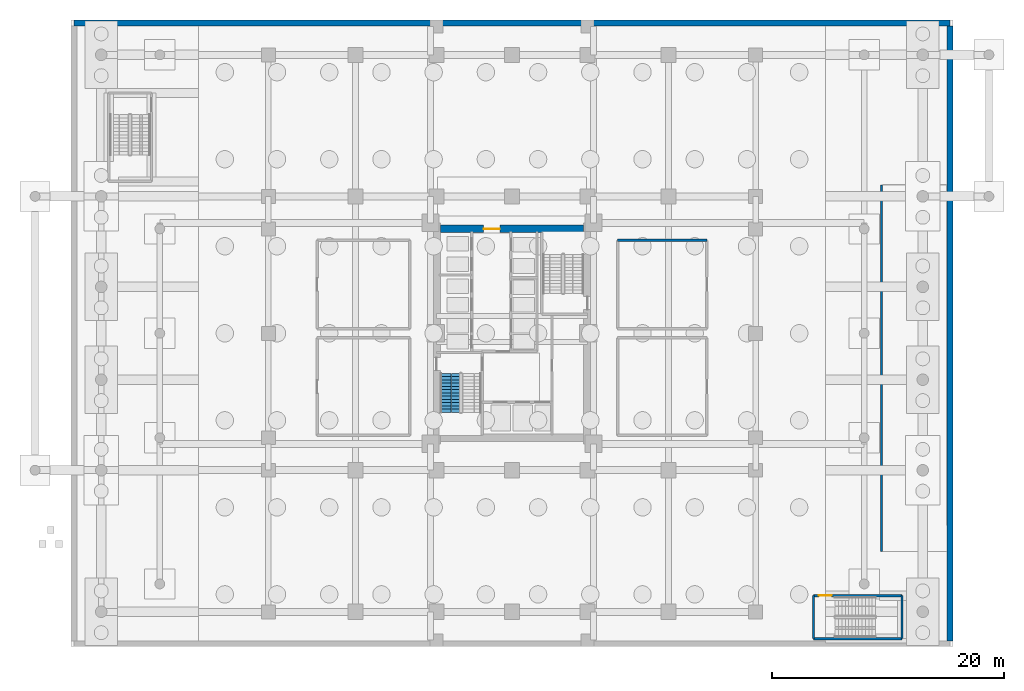
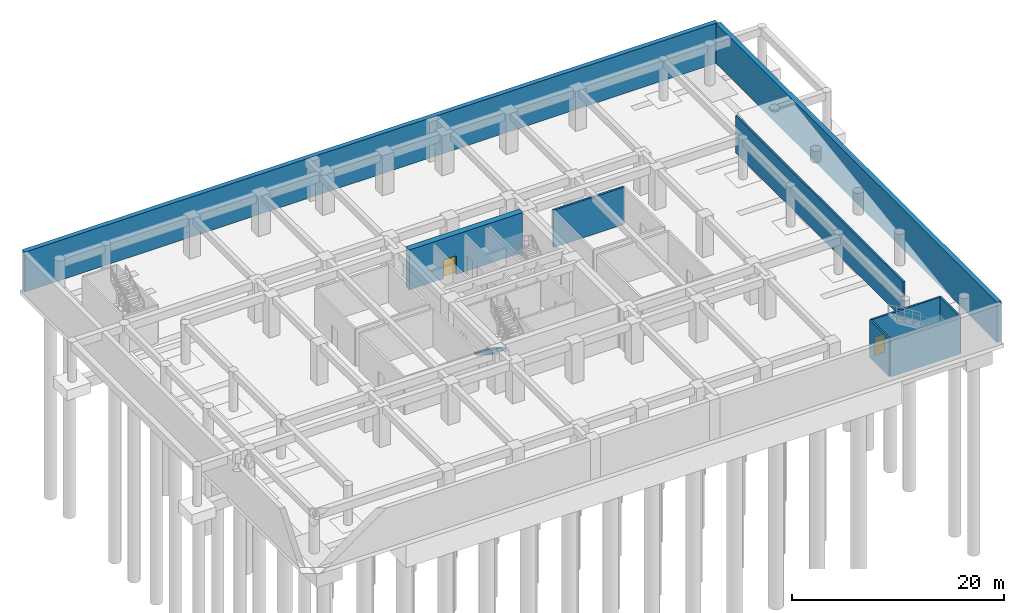
# One storey, part 5 of 14: 9 walls, 2 doors, 1 stair flight, 2 openings, 1 element without a shape of its own.
"""IFC4 building model written with IfcOpenShell, lengths in metres."""

from ifc_helpers import new_model, si_unit, direction, frame, frame_2d, origin, place, context, subcontext, project, spatial, polyline, rectangle, outline, extrude, source, transform, mapped, material, layer, layer_set, type_object, element, fill, aggregate, save


model = new_model("IFC4")

# Units and contexts
model_context = context("Model", 3, precision=1e-05, world=origin(), true_north=direction((0.0, 1.0)))
body_context = subcontext(model_context, "Body", "Model", "MODEL_VIEW")
ifc_project = project(units=[si_unit("LENGTHUNIT", "METRE"), si_unit("AREAUNIT", "SQUARE_METRE"), si_unit("VOLUMEUNIT", "CUBIC_METRE"), si_unit("PLANEANGLEUNIT", "RADIAN"), si_unit("MASSUNIT", "GRAM", prefix="KILO")], contexts=[model_context])

# Site, building, storey
site_placement = place(None, origin())
site = spatial("IfcSite", under=ifc_project, at=site_placement, CompositionType="ELEMENT")
building_placement = place(site_placement, origin())
building = spatial("IfcBuilding", under=site, at=building_placement, Name="Saelheon Loggia Tower", CompositionType="ELEMENT")
storey_placement = place(building_placement, frame((0.0, 0.0, -9.199951171875)))
storey = spatial("IfcBuildingStorey", under=building, at=storey_placement, Name="B2", CompositionType="ELEMENT", Elevation=-9.199951171875)

# Wall, opening, door
ifc_material_1 = material(Name="Concrete C60/75", Category="concrete")
ifc_layer_1 = layer(ifc_material_1, 0.64990234375)
ifc_layer_set_1 = layer_set([ifc_layer_1], Name="Concrete C60/75")
wall_type_1 = type_object("IfcWallType", Name="Wall_CoreShear_650", PredefinedType="SHEAR", material=ifc_layer_set_1)
wall_1_placement = place(storey_placement, frame((31.824951171875, 36.0, 0.0), z_axis=(0.0, 0.0, 1.0), x_axis=(1.0, 0.0, 0.0)))
wall_1 = element("IfcWall", 1, at=wall_1_placement, inside=storey, type_object=wall_type_1, Name="B2 Core Shear Wall North", PredefinedType="SHEAR", context=body_context, shape_type="SweptSolid", body=[
    extrude(rectangle(XDim=12.35009765625, YDim=0.64990234375, at=frame_2d((6.175048828125, 0.0))), origin(), (0.0, 0.0, 1.0), 4.599853515625),
])
opening_1_placement = place(wall_1_placement, frame((5.125, 0.0, 0.0), z_axis=(0.0, 0.0, 1.0), x_axis=(-1.0, 0.0, 0.0)))
opening_1 = element("IfcOpeningElement", 2, at=opening_1_placement, cuts=wall_1, Name="Opening D-FD2L", PredefinedType="OPENING", context=body_context, shape_type="SweptSolid", body=[
    extrude(rectangle(XDim=1.39990234375, YDim=2.14990234375, at=frame_2d((0.699951171875, 1.074951171875))), frame((0.0, 0.3369140625, 0.0), z_axis=(0.0, -1.0, 0.0), x_axis=(1.0, 0.0, 0.0)), (0.0, 0.0, 1.0), 0.673828125),
])
ifc_material_2 = material(Name="Galvanised Steel Glazed Lobby Fire Door", Category="steel")
door_type_1 = type_object("IfcDoorType", Name="Door_Fire_FD60_1400", OperationType="NOTDEFINED", PredefinedType="DOOR", material=ifc_material_2)
shared_shape_1 = source(origin(), body_context, "Body", "SweptSolid", [
    extrude(rectangle(XDim=1.39990234375, YDim=2.14990234375, at=frame_2d((0.699951171875, 1.074951171875))), frame((0.0, 0.02490234375, 0.0), z_axis=(0.0, -1.0, 0.0), x_axis=(1.0, 0.0, 0.0)), (0.0, 0.0, 1.0), 0.050048828125),
])
door_1_placement = place(opening_1_placement, origin())
door_1 = element("IfcDoor", 3, at=door_1_placement, inside=storey, type_object=door_type_1, Name="B2 Passenger Lift Lobby Main Door", OperationType="SINGLE_SWING_RIGHT", OverallHeight=2.14990234375, OverallWidth=1.39990234375, PredefinedType="DOOR", context=body_context, shape_type="MappedRepresentation", body=[
    mapped(shared_shape_1, transform((0.0, 0.0, 0.0), scale=1.0)),
])
fill(opening_1, door_1)

# Walls
ifc_material_3 = material(Name="Concrete C40/50", Category="concrete")
ifc_layer_2 = layer(ifc_material_3, 0.219970703125)
ifc_layer_set_2 = layer_set([ifc_layer_2], Name="Concrete C40/50")
wall_type_2 = type_object("IfcWallType", Name="Wall_PlantBlock_220", PredefinedType="PARTITIONING", material=ifc_layer_set_2)
wall_2_placement = place(storey_placement, frame((47.10009765625, 35.0, 0.0), z_axis=(0.0, 0.0, 1.0), x_axis=(1.0, 0.0, 0.0)))
element("IfcWall", 4, at=wall_2_placement, inside=storey, type_object=wall_type_2, Name="B2 Basement Smoke Extraction Fan Room North Wall", PredefinedType="PARTITIONING", context=body_context, shape_type="SweptSolid", body=[
    extrude(rectangle(XDim=7.699951171875, YDim=0.219970703125, at=frame_2d((3.85009765625, 0.0))), origin(), (0.0, 0.0, 1.0), 4.300048828125),
])
ifc_layer_3 = layer(ifc_material_3, 0.5)
ifc_layer_set_3 = layer_set([ifc_layer_3], Name="Concrete C40/50")
wall_type_3 = type_object("IfcWallType", Name="Wall_Retaining_500", PredefinedType="USERDEFINED", material=ifc_layer_set_3)
wall_3_placement = place(storey_placement, frame((75.75, 0.5, 0.0), z_axis=(0.0, 0.0, 1.0), x_axis=(0.0, 1.0, 0.0)))
element("IfcWall", 5, at=wall_3_placement, inside=storey, type_object=wall_type_3, Name="B2 Basement Retaining Wall E", ObjectType="RETAININGWALL", PredefinedType="USERDEFINED", context=body_context, shape_type="SweptSolid", body=[
    extrude(rectangle(XDim=53.0, YDim=0.5, at=frame_2d((26.5, 0.0))), origin(), (0.0, 0.0, 1.0), 4.599853515625),
])
wall_4_placement = place(storey_placement, frame((75.75, 53.75, 0.0), z_axis=(0.0, 0.0, 1.0), x_axis=(-1.0, 0.0, 0.0)))
element("IfcWall", 6, at=wall_4_placement, inside=storey, type_object=wall_type_3, Name="B2 Basement Retaining Wall N", ObjectType="RETAININGWALL", PredefinedType="USERDEFINED", context=body_context, shape_type="SweptSolid", body=[
    extrude(rectangle(XDim=75.5, YDim=0.5, at=frame_2d((37.75, 0.0))), origin(), (0.0, 0.0, 1.0), 4.599853515625),
])
ifc_layer_4 = layer(ifc_material_3, 0.199951171875)
ifc_layer_set_4 = layer_set([ifc_layer_4], Name="Concrete C40/50")
wall_type_4 = type_object("IfcWallType", Name="Wall_Shaft_200", PredefinedType="PARTITIONING", material=ifc_layer_set_4)
wall_5_placement = place(storey_placement, frame((69.85009765625, 8.199951171875, 0.0), z_axis=(0.0, 0.0, 1.0), x_axis=(0.0, 1.0, 0.0)))
element("IfcWall", 7, at=wall_5_placement, inside=storey, type_object=wall_type_4, Name="B2 Vehicle Ramp Shaft West Wall", PredefinedType="PARTITIONING", context=body_context, shape_type="SweptSolid", body=[
    extrude(rectangle(XDim=31.60009765625, YDim=0.199951171875, at=frame_2d((15.800048828125, 0.0))), origin(), (0.0, 0.0, 1.0), 4.300048828125),
])
ifc_material_4 = material(Name="Concrete C45/55", Category="concrete")
ifc_layer_5 = layer(ifc_material_4, 0.199951171875)
ifc_layer_set_5 = layer_set([ifc_layer_5], Name="Concrete C45/55")
wall_type_5 = type_object("IfcWallType", Name="Wall_StairShaft_RC200", PredefinedType="SOLIDWALL", material=ifc_layer_set_5)
wall_6_placement = place(storey_placement, frame((63.989990234375, 0.68994140625, 0.0), z_axis=(0.0, 0.0, 1.0), x_axis=(1.0, 0.0, 0.0)))
element("IfcWall", 8, at=wall_6_placement, inside=storey, type_object=wall_type_5, Name="B2 ST4 Shaft South Wall", PredefinedType="SOLIDWALL", context=body_context, shape_type="SweptSolid", body=[
    extrude(rectangle(XDim=7.6201171875, YDim=0.199951171875, at=frame_2d((3.81005859375, 0.0))), origin(), (0.0, 0.0, 1.0), 4.300048828125),
])

# Wall, opening, door
wall_7_placement = place(storey_placement, frame((63.989990234375, 4.389892578125, 0.0), z_axis=(0.0, 0.0, 1.0), x_axis=(1.0, 0.0, 0.0)))
wall_7 = element("IfcWall", 9, at=wall_7_placement, inside=storey, type_object=wall_type_5, Name="B2 ST4 Shaft North Wall", PredefinedType="SOLIDWALL", context=body_context, shape_type="SweptSolid", body=[
    extrude(rectangle(XDim=7.6201171875, YDim=0.199951171875, at=frame_2d((3.81005859375, 0.0))), origin(), (0.0, 0.0, 1.0), 4.300048828125),
])
opening_2_placement = place(wall_7_placement, frame((0.449951171875, 0.0, 0.0)))
opening_2 = element("IfcOpeningElement", 10, at=opening_2_placement, cuts=wall_7, Name="Opening D-FD2", PredefinedType="OPENING", context=body_context, shape_type="SweptSolid", body=[
    extrude(rectangle(XDim=1.10009765625, YDim=2.14990234375, at=frame_2d((0.550048828125, 1.074951171875))), frame((0.0, 0.112060546875, 0.0), z_axis=(0.0, -1.0, 0.0), x_axis=(1.0, 0.0, 0.0)), (0.0, 0.0, 1.0), 0.223876953125),
])
ifc_material_5 = material(Name="Galvanised Steel Fire Door", Category="steel")
door_type_2 = type_object("IfcDoorType", Name="Door_Fire_FD60_1100", OperationType="NOTDEFINED", PredefinedType="DOOR", material=ifc_material_5)
shared_shape_2 = source(origin(), body_context, "Body", "SweptSolid", [
    extrude(rectangle(XDim=1.10009765625, YDim=2.14990234375, at=frame_2d((0.550048828125, 1.074951171875))), frame((0.0, 0.02490234375, 0.0), z_axis=(0.0, -1.0, 0.0), x_axis=(1.0, 0.0, 0.0)), (0.0, 0.0, 1.0), 0.050048828125),
])
door_2_placement = place(opening_2_placement, origin())
door_2 = element("IfcDoor", 11, at=door_2_placement, inside=storey, type_object=door_type_2, Name="B2 Escape Stair ST4 Door", OperationType="SINGLE_SWING_LEFT", OverallHeight=2.14990234375, OverallWidth=1.10009765625, PredefinedType="DOOR", context=body_context, shape_type="MappedRepresentation", body=[
    mapped(shared_shape_2, transform((0.0, 0.0, 0.0), scale=1.0)),
])
fill(opening_2, door_2)

# Walls
for number, where, z_axis, x_axis, name in (
    (12, (63.989990234375, 0.68994140625, 0.0), (0.0, 0.0, 1.0), (0.0, 1.0, 0.0), "B2 ST4 Shaft West Wall"),
    (13, (71.610107421875, 0.68994140625, 0.0), (0.0, 0.0, 1.0), (0.0, 1.0, 0.0), "B2 ST4 Shaft East Wall"),
):
    element("IfcWall", number, at=place(storey_placement, frame(where, z_axis=z_axis, x_axis=x_axis)), inside=storey, type_object=wall_type_5, Name=name, PredefinedType="SOLIDWALL", context=body_context, shape_type="SweptSolid", body=[
        extrude(rectangle(XDim=3.699951171875, YDim=0.199951171875, at=frame_2d((1.85009765625, 0.0))), origin(), (0.0, 0.0, 1.0), 4.300048828125),
    ])

# Stair, stair flight
stair_type = type_object("IfcStairType", Name="Stair_Escape_Core", PredefinedType="HALF_TURN_STAIR", material=ifc_material_3)
stair_placement = place(storey_placement, origin())
stair = element("IfcStair", 14, at=stair_placement, inside=storey, type_object=stair_type, Name="B2 Special Escape Stair ST1", PredefinedType="HALF_TURN_STAIR")
stair_flight_type = type_object("IfcStairFlightType", Name="StairFlight_Tower_1660", PredefinedType="STRAIGHT", material=ifc_material_3)
stair_flight_placement = place(storey_placement, frame((32.679931640625, 23.550048828125, 0.0), z_axis=(0.0, 0.0, 1.0), x_axis=(0.0, -1.0, 0.0)))
stair_flight = element("IfcStairFlight", 15, at=stair_flight_placement, type_object=stair_flight_type, Name="ST1 flight 1", NumberOfRisers=13, NumberOfTreads=12, PredefinedType="STRAIGHT", RiserHeight=0.176923077, TreadLength=0.28, context=body_context, shape_type="SweptSolid", body=[
    extrude(outline(polyline([(0.0, 0.0), (0.0, 0.177001953125), (0.280029296875, 0.177001953125), (0.280029296875, 0.353759765625), (0.56005859375, 0.353759765625), (0.56005859375, 0.53076171875), (0.840087890625, 0.53076171875), (0.840087890625, 0.707763671875), (1.1201171875, 0.707763671875), (1.1201171875, 0.884521484375), (1.39990234375, 0.884521484375), (1.39990234375, 1.0615234375), (1.679931640625, 1.0615234375), (1.679931640625, 1.238525390625), (1.9599609375, 1.238525390625), (1.9599609375, 1.415283203125), (2.239990234375, 1.415283203125), (2.239990234375, 1.59228515625), (2.52001953125, 1.59228515625), (2.52001953125, 1.769287109375), (2.800048828125, 1.769287109375), (2.800048828125, 1.946044921875), (3.080078125, 1.946044921875), (3.080078125, 2.123046875), (3.360107421875, 2.123046875), (3.360107421875, 2.300048828125), (3.360107421875, 1.91015625), (0.3369140625, 0.0), (0.0, 0.0)])), frame((0.0, -0.2490234375, 0.0), z_axis=(0.0, -1.0, 0.0), x_axis=(1.0, 0.0, 0.0)), (0.0, 0.0, 1.0), 0.5810546875),
    extrude(outline(polyline([(0.0, 0.0), (0.0, 0.177001953125), (0.280029296875, 0.177001953125), (0.280029296875, 0.353759765625), (0.56005859375, 0.353759765625), (0.56005859375, 0.53076171875), (0.840087890625, 0.53076171875), (0.840087890625, 0.707763671875), (1.1201171875, 0.707763671875), (1.1201171875, 0.884521484375), (1.39990234375, 0.884521484375), (1.39990234375, 1.0615234375), (1.679931640625, 1.0615234375), (1.679931640625, 1.238525390625), (1.9599609375, 1.238525390625), (1.9599609375, 1.415283203125), (2.239990234375, 1.415283203125), (2.239990234375, 1.59228515625), (2.52001953125, 1.59228515625), (2.52001953125, 1.769287109375), (2.800048828125, 1.769287109375), (2.800048828125, 1.946044921875), (3.080078125, 1.946044921875), (3.080078125, 2.123046875), (3.360107421875, 2.123046875), (3.360107421875, 2.300048828125), (3.360107421875, 1.91015625), (0.3369140625, 0.0), (0.0, 0.0)])), frame((0.0, -0.194091796875, 0.0), z_axis=(0.0, -1.0, 0.0), x_axis=(1.0, 0.0, 0.0)), (0.0, 0.0, 1.0), 0.0498046875),
    extrude(outline(polyline([(0.0, 0.0), (0.0, 0.177001953125), (0.280029296875, 0.177001953125), (0.280029296875, 0.353759765625), (0.56005859375, 0.353759765625), (0.56005859375, 0.53076171875), (0.840087890625, 0.53076171875), (0.840087890625, 0.707763671875), (1.1201171875, 0.707763671875), (1.1201171875, 0.884521484375), (1.39990234375, 0.884521484375), (1.39990234375, 1.0615234375), (1.679931640625, 1.0615234375), (1.679931640625, 1.238525390625), (1.9599609375, 1.238525390625), (1.9599609375, 1.415283203125), (2.239990234375, 1.415283203125), (2.239990234375, 1.59228515625), (2.52001953125, 1.59228515625), (2.52001953125, 1.769287109375), (2.800048828125, 1.769287109375), (2.800048828125, 1.946044921875), (3.080078125, 1.946044921875), (3.080078125, 2.123046875), (3.360107421875, 2.123046875), (3.360107421875, 2.300048828125), (3.360107421875, 1.91015625), (0.3369140625, 0.0), (0.0, 0.0)])), frame((0.0, -0.139404296875, 0.0), z_axis=(0.0, -1.0, 0.0), x_axis=(1.0, 0.0, 0.0)), (0.0, 0.0, 1.0), 0.0498046875),
    extrude(outline(polyline([(0.0, 0.0), (0.0, 0.177001953125), (0.280029296875, 0.177001953125), (0.280029296875, 0.353759765625), (0.56005859375, 0.353759765625), (0.56005859375, 0.53076171875), (0.840087890625, 0.53076171875), (0.840087890625, 0.707763671875), (1.1201171875, 0.707763671875), (1.1201171875, 0.884521484375), (1.39990234375, 0.884521484375), (1.39990234375, 1.0615234375), (1.679931640625, 1.0615234375), (1.679931640625, 1.238525390625), (1.9599609375, 1.238525390625), (1.9599609375, 1.415283203125), (2.239990234375, 1.415283203125), (2.239990234375, 1.59228515625), (2.52001953125, 1.59228515625), (2.52001953125, 1.769287109375), (2.800048828125, 1.769287109375), (2.800048828125, 1.946044921875), (3.080078125, 1.946044921875), (3.080078125, 2.123046875), (3.360107421875, 2.123046875), (3.360107421875, 2.300048828125), (3.360107421875, 1.91015625), (0.3369140625, 0.0), (0.0, 0.0)])), frame((0.0, -0.084716796875, 0.0), z_axis=(0.0, -1.0, 0.0), x_axis=(1.0, 0.0, 0.0)), (0.0, 0.0, 1.0), 0.0498046875),
    extrude(outline(polyline([(0.0, 0.0), (0.0, 0.177001953125), (0.280029296875, 0.177001953125), (0.280029296875, 0.353759765625), (0.56005859375, 0.353759765625), (0.56005859375, 0.53076171875), (0.840087890625, 0.53076171875), (0.840087890625, 0.707763671875), (1.1201171875, 0.707763671875), (1.1201171875, 0.884521484375), (1.39990234375, 0.884521484375), (1.39990234375, 1.0615234375), (1.679931640625, 1.0615234375), (1.679931640625, 1.238525390625), (1.9599609375, 1.238525390625), (1.9599609375, 1.415283203125), (2.239990234375, 1.415283203125), (2.239990234375, 1.59228515625), (2.52001953125, 1.59228515625), (2.52001953125, 1.769287109375), (2.800048828125, 1.769287109375), (2.800048828125, 1.946044921875), (3.080078125, 1.946044921875), (3.080078125, 2.123046875), (3.360107421875, 2.123046875), (3.360107421875, 2.300048828125), (3.360107421875, 1.91015625), (0.3369140625, 0.0), (0.0, 0.0)])), frame((0.0, -0.02978515625, 0.0), z_axis=(0.0, -1.0, 0.0), x_axis=(1.0, 0.0, 0.0)), (0.0, 0.0, 1.0), 0.0498046875),
    extrude(outline(polyline([(0.0, 0.0), (0.0, 0.177001953125), (0.280029296875, 0.177001953125), (0.280029296875, 0.353759765625), (0.56005859375, 0.353759765625), (0.56005859375, 0.53076171875), (0.840087890625, 0.53076171875), (0.840087890625, 0.707763671875), (1.1201171875, 0.707763671875), (1.1201171875, 0.884521484375), (1.39990234375, 0.884521484375), (1.39990234375, 1.0615234375), (1.679931640625, 1.0615234375), (1.679931640625, 1.238525390625), (1.9599609375, 1.238525390625), (1.9599609375, 1.415283203125), (2.239990234375, 1.415283203125), (2.239990234375, 1.59228515625), (2.52001953125, 1.59228515625), (2.52001953125, 1.769287109375), (2.800048828125, 1.769287109375), (2.800048828125, 1.946044921875), (3.080078125, 1.946044921875), (3.080078125, 2.123046875), (3.360107421875, 2.123046875), (3.360107421875, 2.300048828125), (3.360107421875, 1.91015625), (0.3369140625, 0.0), (0.0, 0.0)])), frame((0.0, 0.02490234375, 0.0), z_axis=(0.0, -1.0, 0.0), x_axis=(1.0, 0.0, 0.0)), (0.0, 0.0, 1.0), 0.0498046875),
    extrude(outline(polyline([(0.0, 0.0), (0.0, 0.177001953125), (0.280029296875, 0.177001953125), (0.280029296875, 0.353759765625), (0.56005859375, 0.353759765625), (0.56005859375, 0.53076171875), (0.840087890625, 0.53076171875), (0.840087890625, 0.707763671875), (1.1201171875, 0.707763671875), (1.1201171875, 0.884521484375), (1.39990234375, 0.884521484375), (1.39990234375, 1.0615234375), (1.679931640625, 1.0615234375), (1.679931640625, 1.238525390625), (1.9599609375, 1.238525390625), (1.9599609375, 1.415283203125), (2.239990234375, 1.415283203125), (2.239990234375, 1.59228515625), (2.52001953125, 1.59228515625), (2.52001953125, 1.769287109375), (2.800048828125, 1.769287109375), (2.800048828125, 1.946044921875), (3.080078125, 1.946044921875), (3.080078125, 2.123046875), (3.360107421875, 2.123046875), (3.360107421875, 2.300048828125), (3.360107421875, 1.91015625), (0.3369140625, 0.0), (0.0, 0.0)])), frame((0.0, 0.07958984375, 0.0), z_axis=(0.0, -1.0, 0.0), x_axis=(1.0, 0.0, 0.0)), (0.0, 0.0, 1.0), 0.0498046875),
    extrude(outline(polyline([(0.0, 0.0), (0.0, 0.177001953125), (0.280029296875, 0.177001953125), (0.280029296875, 0.353759765625), (0.56005859375, 0.353759765625), (0.56005859375, 0.53076171875), (0.840087890625, 0.53076171875), (0.840087890625, 0.707763671875), (1.1201171875, 0.707763671875), (1.1201171875, 0.884521484375), (1.39990234375, 0.884521484375), (1.39990234375, 1.0615234375), (1.679931640625, 1.0615234375), (1.679931640625, 1.238525390625), (1.9599609375, 1.238525390625), (1.9599609375, 1.415283203125), (2.239990234375, 1.415283203125), (2.239990234375, 1.59228515625), (2.52001953125, 1.59228515625), (2.52001953125, 1.769287109375), (2.800048828125, 1.769287109375), (2.800048828125, 1.946044921875), (3.080078125, 1.946044921875), (3.080078125, 2.123046875), (3.360107421875, 2.123046875), (3.360107421875, 2.300048828125), (3.360107421875, 1.91015625), (0.3369140625, 0.0), (0.0, 0.0)])), frame((0.0, 0.134521484375, 0.0), z_axis=(0.0, -1.0, 0.0), x_axis=(1.0, 0.0, 0.0)), (0.0, 0.0, 1.0), 0.0498046875),
    extrude(outline(polyline([(0.0, 0.0), (0.0, 0.177001953125), (0.280029296875, 0.177001953125), (0.280029296875, 0.353759765625), (0.56005859375, 0.353759765625), (0.56005859375, 0.53076171875), (0.840087890625, 0.53076171875), (0.840087890625, 0.707763671875), (1.1201171875, 0.707763671875), (1.1201171875, 0.884521484375), (1.39990234375, 0.884521484375), (1.39990234375, 1.0615234375), (1.679931640625, 1.0615234375), (1.679931640625, 1.238525390625), (1.9599609375, 1.238525390625), (1.9599609375, 1.415283203125), (2.239990234375, 1.415283203125), (2.239990234375, 1.59228515625), (2.52001953125, 1.59228515625), (2.52001953125, 1.769287109375), (2.800048828125, 1.769287109375), (2.800048828125, 1.946044921875), (3.080078125, 1.946044921875), (3.080078125, 2.123046875), (3.360107421875, 2.123046875), (3.360107421875, 2.300048828125), (3.360107421875, 1.91015625), (0.3369140625, 0.0), (0.0, 0.0)])), frame((0.0, 0.189208984375, 0.0), z_axis=(0.0, -1.0, 0.0), x_axis=(1.0, 0.0, 0.0)), (0.0, 0.0, 1.0), 0.0498046875),
    extrude(outline(polyline([(0.0, 0.0), (0.0, 0.177001953125), (0.280029296875, 0.177001953125), (0.280029296875, 0.353759765625), (0.56005859375, 0.353759765625), (0.56005859375, 0.53076171875), (0.840087890625, 0.53076171875), (0.840087890625, 0.707763671875), (1.1201171875, 0.707763671875), (1.1201171875, 0.884521484375), (1.39990234375, 0.884521484375), (1.39990234375, 1.0615234375), (1.679931640625, 1.0615234375), (1.679931640625, 1.238525390625), (1.9599609375, 1.238525390625), (1.9599609375, 1.415283203125), (2.239990234375, 1.415283203125), (2.239990234375, 1.59228515625), (2.52001953125, 1.59228515625), (2.52001953125, 1.769287109375), (2.800048828125, 1.769287109375), (2.800048828125, 1.946044921875), (3.080078125, 1.946044921875), (3.080078125, 2.123046875), (3.360107421875, 2.123046875), (3.360107421875, 2.300048828125), (3.360107421875, 1.91015625), (0.3369140625, 0.0), (0.0, 0.0)])), frame((0.0, 0.243896484375, 0.0), z_axis=(0.0, -1.0, 0.0), x_axis=(1.0, 0.0, 0.0)), (0.0, 0.0, 1.0), 0.0498046875),
    extrude(outline(polyline([(0.0, 0.0), (0.0, 0.177001953125), (0.280029296875, 0.177001953125), (0.280029296875, 0.353759765625), (0.56005859375, 0.353759765625), (0.56005859375, 0.53076171875), (0.840087890625, 0.53076171875), (0.840087890625, 0.707763671875), (1.1201171875, 0.707763671875), (1.1201171875, 0.884521484375), (1.39990234375, 0.884521484375), (1.39990234375, 1.0615234375), (1.679931640625, 1.0615234375), (1.679931640625, 1.238525390625), (1.9599609375, 1.238525390625), (1.9599609375, 1.415283203125), (2.239990234375, 1.415283203125), (2.239990234375, 1.59228515625), (2.52001953125, 1.59228515625), (2.52001953125, 1.769287109375), (2.800048828125, 1.769287109375), (2.800048828125, 1.946044921875), (3.080078125, 1.946044921875), (3.080078125, 2.123046875), (3.360107421875, 2.123046875), (3.360107421875, 2.300048828125), (3.360107421875, 1.91015625), (0.3369140625, 0.0), (0.0, 0.0)])), frame((0.0, 0.830078125, 0.0), z_axis=(0.0, -1.0, 0.0), x_axis=(1.0, 0.0, 0.0)), (0.0, 0.0, 1.0), 0.5810546875),
])
aggregate(stair, [stair_flight])

save(model, "model.ifc")
